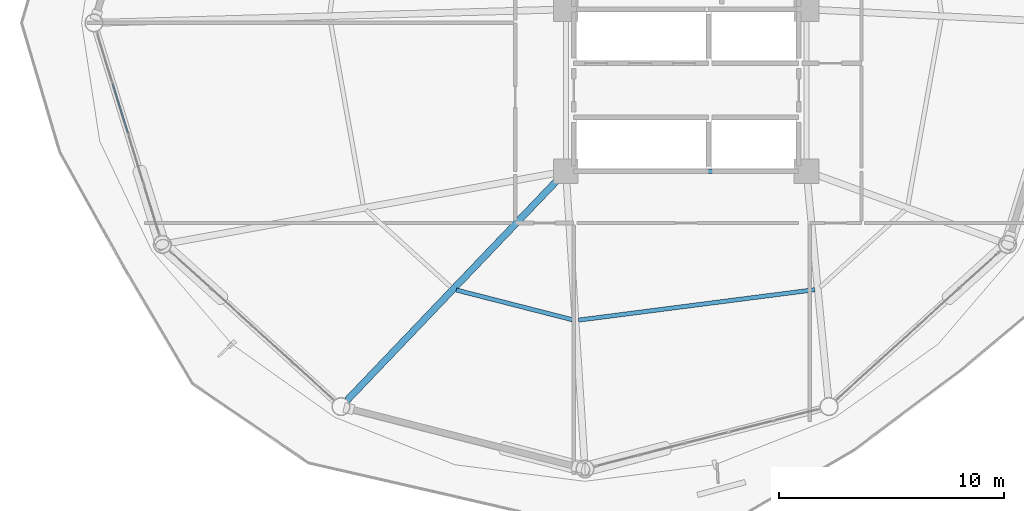
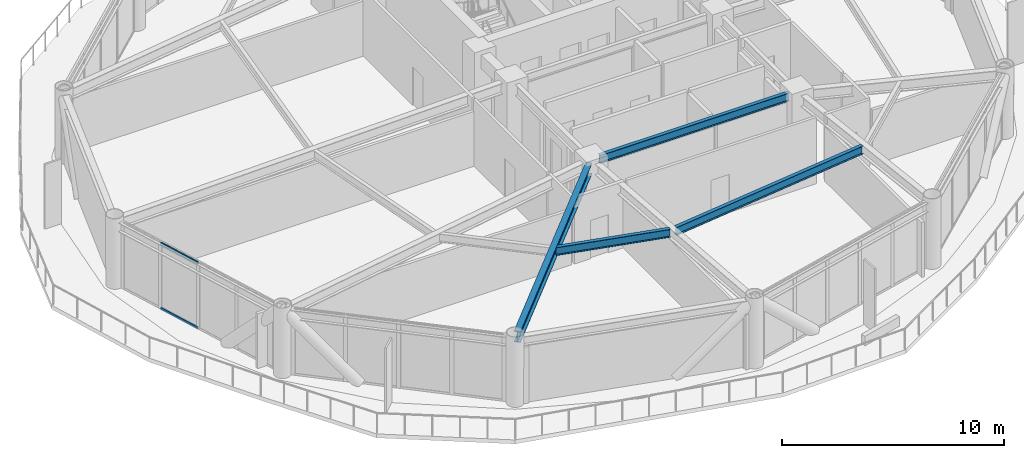
# One storey, part 6 of 23: 4 beams, 2 members, 1 element without a shape of its own.
"""IFC4 building model written with IfcOpenShell, lengths in metres."""

from ifc_helpers import new_model, si_unit, direction, frame, origin, origin_2d, place, context, subcontext, project, spatial, hollow_rectangle, i_section, extrude, material, layer, layer_set, material_profile, profile_set, type_object, element, aggregate, save


model = new_model("IFC4")

# Units and contexts
model_context = context("Model", 3, precision=1e-05, world=origin(), true_north=direction((0.0, 1.0)))
body_context = subcontext(model_context, "Body", "Model", "MODEL_VIEW")
ifc_project = project(units=[si_unit("LENGTHUNIT", "METRE"), si_unit("AREAUNIT", "SQUARE_METRE"), si_unit("VOLUMEUNIT", "CUBIC_METRE"), si_unit("PLANEANGLEUNIT", "RADIAN"), si_unit("MASSUNIT", "GRAM", prefix="KILO")], contexts=[model_context])

# Site, building, storey
site_placement = place(None, origin())
site = spatial("IfcSite", under=ifc_project, at=site_placement, CompositionType="ELEMENT")
building_placement = place(site_placement, origin())
building = spatial("IfcBuilding", under=site, at=building_placement, Name="Varnakorn Sky Granary", CompositionType="ELEMENT")
storey_placement = place(building_placement, frame((0.0, 0.0, 83.699951171875)))
storey = spatial("IfcBuildingStorey", under=building, at=storey_placement, Name="L20", CompositionType="ELEMENT", Elevation=83.699951171875)

# Beams
ifc_material_1 = material(Name="Steel S355JR", Category="steel")
ifc_material_profile_1 = material_profile(ifc_material_1, i_section(OverallWidth=0.300048828125, OverallDepth=0.60009765625, WebThickness=0.015380859375, FlangeThickness=0.030029296875, at=origin_2d()), Name="HE 600 B")
ifc_profile_set_1 = profile_set([ifc_material_profile_1], Name="Steel S355JR")
beam_type_1 = type_object("IfcBeamType", Name="BM-RAD-Z2", PredefinedType="BEAM", material=ifc_profile_set_1)
beam_1_placement = place(storey_placement, frame((-2.64013671875, -6.90380859375, 3.340087890625), z_axis=(-0.690837447178, -0.723010111669, 0.0), x_axis=(0.723010111669, -0.690837447178, 0.0)))
element("IfcBeam", 1, at=beam_1_placement, inside=storey, type_object=beam_type_1, Name="Radial Floor Girder RG09 L20", PredefinedType="BEAM", context=body_context, shape_type="SweptSolid", body=[
    extrude(i_section(OverallWidth=0.300048828125, OverallDepth=0.60009765625, WebThickness=0.015380859375, FlangeThickness=0.030029296875, at=origin_2d()), origin(), (0.0, 0.0, 1.0), 13.67431640625),
])
ifc_material_profile_2 = material_profile(ifc_material_1, i_section(OverallWidth=0.18994140625, OverallDepth=0.449951171875, WebThickness=0.009521484375, FlangeThickness=0.0146484375, at=origin_2d()), Name="IPE 450")
ifc_profile_set_2 = profile_set([ifc_material_profile_2], Name="Steel S355JR")
beam_type_2 = type_object("IfcBeamType", Name="BM-SEC-Z2", PredefinedType="BEAM", material=ifc_profile_set_2)
beam_2_placement = place(storey_placement, frame((-7.227783203125, -11.8818359375, 3.4150390625), z_axis=(0.96877049762, -0.247959115462, 0.0), x_axis=(0.247959115462, 0.96877049762, 0.0)))
element("IfcBeam", 2, at=beam_2_placement, inside=storey, type_object=beam_type_2, Name="Secondary Floor Chord Beam MSB09 L20", PredefinedType="BEAM", context=body_context, shape_type="SweptSolid", body=[
    extrude(i_section(OverallWidth=0.18994140625, OverallDepth=0.449951171875, WebThickness=0.009521484375, FlangeThickness=0.0146484375, at=origin_2d()), origin(), (0.0, 0.0, 1.0), 5.33447265625),
])
beam_3_placement = place(storey_placement, frame((-1.78515625, -13.22119140625, 3.4150390625), z_axis=(0.991810591872, 0.127717461022, 0.0), x_axis=(-0.127717461022, 0.991810591872, 0.0)))
element("IfcBeam", 3, at=beam_3_placement, inside=storey, type_object=beam_type_2, Name="Secondary Floor Chord Beam MSB10 L20", PredefinedType="BEAM", context=body_context, shape_type="SweptSolid", body=[
    extrude(i_section(OverallWidth=0.18994140625, OverallDepth=0.449951171875, WebThickness=0.009521484375, FlangeThickness=0.0146484375, at=origin_2d()), origin(), (0.0, 0.0, 1.0), 10.588134765625),
])
beam_4_placement = place(storey_placement, frame((-1.929931640625, -6.60009765625, 3.4150390625), z_axis=(1.0, 0.0, 0.0), x_axis=(0.0, 1.0, 0.0)))
element("IfcBeam", 4, at=beam_4_placement, inside=storey, type_object=beam_type_2, Name="Core Spine Framing Beam 6 L20", PredefinedType="BEAM", context=body_context, shape_type="SweptSolid", body=[
    extrude(i_section(OverallWidth=0.18994140625, OverallDepth=0.449951171875, WebThickness=0.009521484375, FlangeThickness=0.0146484375, at=origin_2d()), origin(), (0.0, 0.0, 1.0), 9.85986328125),
])

# Curtain wall, members
ifc_material_2 = material(Name="Anodised Bronze Aluminium Alloy 6063-T6", Category="aluminium")
ifc_layer = layer(ifc_material_2, 0.18994140625, Name="Anodised Bronze Aluminium Alloy 6063-T6")
ifc_layer_set = layer_set([ifc_layer], Name="Anodised Bronze Aluminium Alloy 6063-T6")
curtain_wall_type = type_object("IfcCurtainWallType", Name="CW-FRM-1", PredefinedType="USERDEFINED", material=ifc_layer_set)
curtain_wall_placement = place(storey_placement, origin())
curtain_wall = element("IfcCurtainWall", 5, at=curtain_wall_placement, inside=storey, type_object=curtain_wall_type, Name="Unitised Curtain Wall CW3 CW-L20-B07", ObjectType="CURTAIN WALL", PredefinedType="USERDEFINED")
ifc_material_profile_3 = material_profile(ifc_material_2, hollow_rectangle(XDim=0.070068359375, YDim=0.139892578125, WallThickness=0.00341796875, at=origin_2d()), Name="ALU TRAN 70x140")
ifc_profile_set_3 = profile_set([ifc_material_profile_3], Name="Anodised Bronze Aluminium Alloy 6063-T6")
member_type = type_object("IfcMemberType", Name="CW-FRM-1-TRAN", PredefinedType="USERDEFINED", material=ifc_profile_set_3)
member_1_placement = place(storey_placement, frame((-21.828857421875, -4.893310546875, 0.03515625), z_axis=(-0.295126375669, 0.955458226394, 0.0), x_axis=(-0.955458226394, -0.295126375669, 0.0)))
member_1 = element("IfcMember", 6, at=member_1_placement, type_object=member_type, Name="CW3 transom 3.1", ObjectType="TRANSOM", PredefinedType="USERDEFINED", context=body_context, shape_type="SweptSolid", body=[
    extrude(hollow_rectangle(XDim=0.070068359375, YDim=0.139892578125, WallThickness=0.00341796875, at=origin_2d()), origin(), (0.0, 0.0, 1.0), 2.27490234375),
])
member_2_placement = place(storey_placement, frame((-21.828857421875, -4.893310546875, 3.60498046875), z_axis=(-0.295126375669, 0.955458226394, 0.0), x_axis=(-0.955458226394, -0.295126375669, 0.0)))
member_2 = element("IfcMember", 7, at=member_2_placement, type_object=member_type, Name="CW3 transom 3.2", ObjectType="TRANSOM", PredefinedType="USERDEFINED", context=body_context, shape_type="SweptSolid", body=[
    extrude(hollow_rectangle(XDim=0.070068359375, YDim=0.139892578125, WallThickness=0.00341796875, at=origin_2d()), origin(), (0.0, 0.0, 1.0), 2.27490234375),
])
aggregate(curtain_wall, [member_1, member_2])

save(model, "model.ifc")
